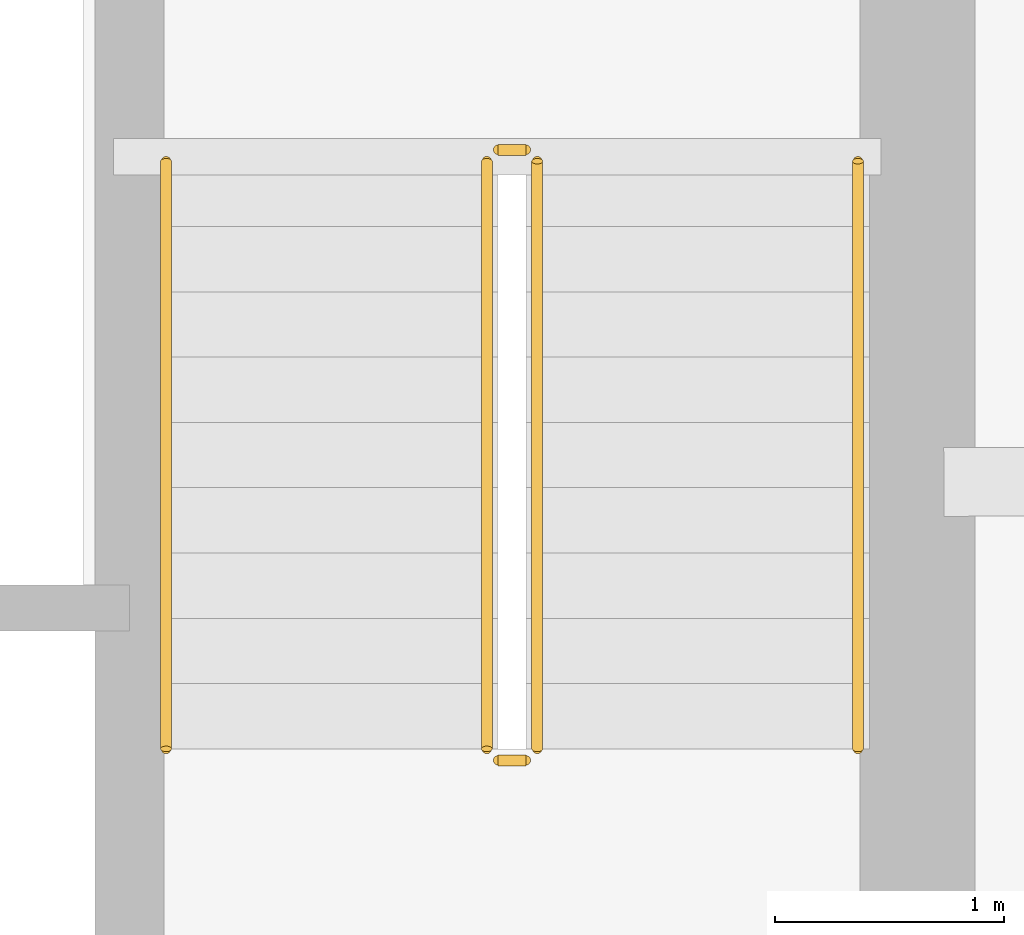
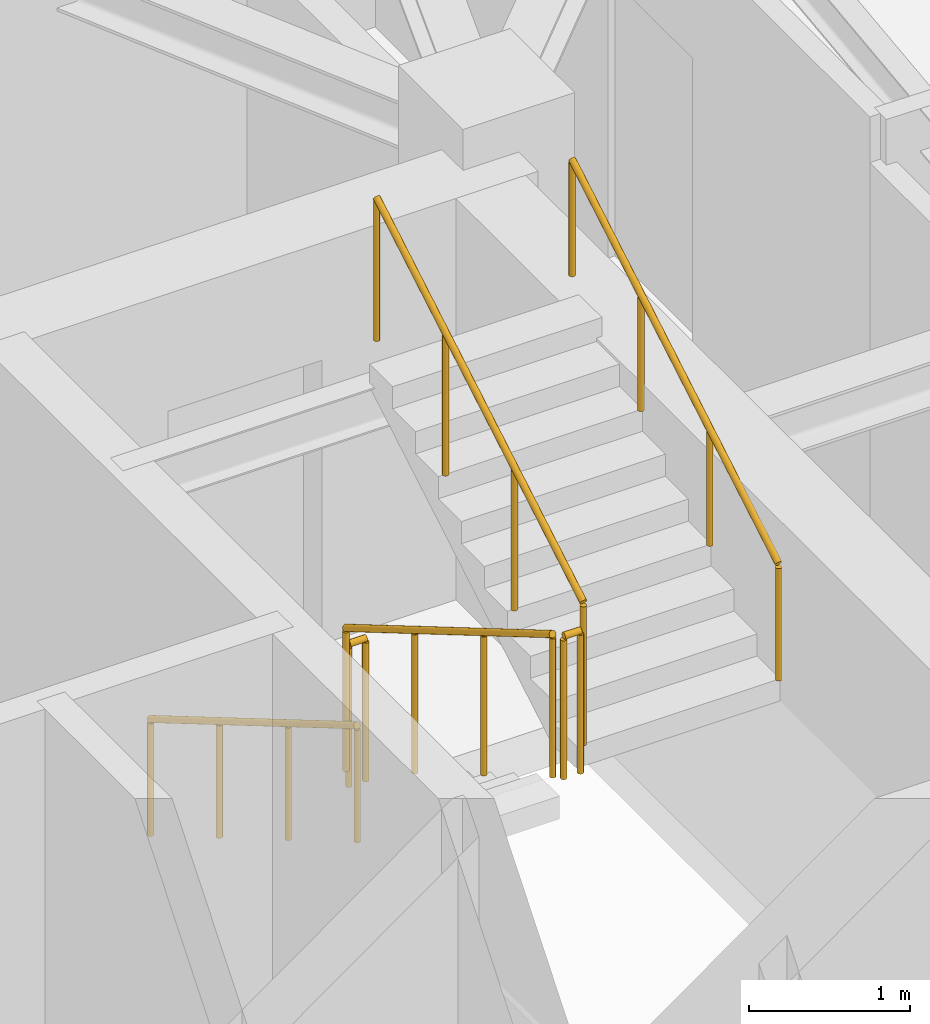
# One storey, part 11 of 11: 6 railings.
"""IFC4 building model written with IfcOpenShell, lengths in metres."""

import ifcopenshell
import ifcopenshell.guid

model = None  # the IFC model being written
_history = None  # IfcOwnerHistory: only IFC2X3 demands one
_inside = {}  # id of a spatial element -> (the spatial element, [elements in it])
_under = {}  # id of a project, library or spatial element -> (it, [spatial elements below it])
_declared = {}  # id of a project -> (the project, [libraries it declares])
_typed = {}  # id of a type object -> (the type object, [elements of that type])
_made_of = {}  # id of a material, layer set ... -> (it, [elements and type objects made of it])


def new_model(schema):
    """Start an empty IFC model of exactly this schema.

    Asked for "IFC4X3", IfcOpenShell would pick the latest addendum, in which some entities
    have other attributes; the version numbers below select the first issue.
    IFC2X3 requires an IfcOwnerHistory on every rooted entity: one is made here for all.
    """
    global model, _history
    if schema == "IFC4X3":
        model = ifcopenshell.file(schema_version=(4, 3, 0, 0))
    else:
        model = ifcopenshell.file(schema=schema)
    _inside.clear()
    _under.clear()
    _declared.clear()
    _typed.clear()
    _made_of.clear()
    _history = None
    if model.schema == "IFC2X3":
        org = make("IfcOrganization", Name="unknown")
        user = make(
            "IfcPersonAndOrganization",
            ThePerson=make("IfcPerson", FamilyName="unknown"),
            TheOrganization=org,
        )
        app = make(
            "IfcApplication",
            ApplicationDeveloper=org,
            Version="unknown",
            ApplicationFullName="unknown",
            ApplicationIdentifier="unknown",
        )
        _history = make(
            "IfcOwnerHistory",
            OwningUser=user,
            OwningApplication=app,
            ChangeAction="ADDED",
            CreationDate=0,
        )
    return model


def make(cls, **values):
    """One entity of the class cls with the attributes given. An attribute that is None is left unset."""
    return model.create_entity(
        cls, **{name: value for name, value in values.items() if value is not None}
    )


def rooted(cls, **values):
    """An entity with a GlobalId (a new one), such as an element, a storey or a relation."""
    return make(cls, GlobalId=ifcopenshell.guid.new(), OwnerHistory=_history, **values)


def si_unit(unit_type, name, prefix=None):
    """IfcSIUnit, for example si_unit("LENGTHUNIT", "METRE", prefix="MILLI")."""
    return make("IfcSIUnit", UnitType=unit_type, Prefix=prefix, Name=name)


def assignment(units):
    """IfcUnitAssignment: the units of a project."""
    return None if units is None else make("IfcUnitAssignment", Units=units)


def point(xyz):
    """IfcCartesianPoint."""
    return None if xyz is None else make("IfcCartesianPoint", Coordinates=xyz)


def direction(xyz):
    """IfcDirection."""
    return None if xyz is None else make("IfcDirection", DirectionRatios=xyz)


def frame(location, z_axis=None, x_axis=None):
    """IfcAxis2Placement3D, a coordinate frame: its origin and axes. An axis left out is left unset."""
    return make(
        "IfcAxis2Placement3D",
        Location=point(location),
        Axis=direction(z_axis),
        RefDirection=direction(x_axis),
    )


def frame_2d(location, x_axis=None):
    """IfcAxis2Placement2D, a coordinate frame in the plane: its origin and x axis."""
    return make(
        "IfcAxis2Placement2D", Location=point(location), RefDirection=direction(x_axis)
    )


def origin():
    """The frame at (0, 0, 0) with its axes left unset."""
    return frame((0.0, 0.0, 0.0))


def origin_2d():
    """The frame at (0, 0) in the plane with its x axis left unset."""
    return frame_2d((0.0, 0.0))


def place(relative_to, where):
    """IfcLocalPlacement: puts the frame where relative to a parent placement (None: the world)."""
    return make(
        "IfcLocalPlacement", PlacementRelTo=relative_to, RelativePlacement=where
    )


def context(
    kind, dimensions, precision=None, world=None, true_north=None, identifier=None
):
    """IfcGeometricRepresentationContext, for example the 3D "Model" context."""
    return make(
        "IfcGeometricRepresentationContext",
        ContextIdentifier=identifier,
        ContextType=kind,
        CoordinateSpaceDimension=dimensions,
        Precision=precision,
        WorldCoordinateSystem=world,
        TrueNorth=true_north,
    )


def subcontext(parent, identifier, kind, view, scale=None):
    """IfcGeometricRepresentationSubContext, for example "Body" below "Model"."""
    return make(
        "IfcGeometricRepresentationSubContext",
        ContextIdentifier=identifier,
        ContextType=kind,
        ParentContext=parent,
        TargetScale=scale,
        TargetView=view,
    )


def project(units=None, contexts=None):
    """IfcProject with its units and contexts."""
    return rooted(
        "IfcProject",
        Name="project",
        RepresentationContexts=contexts,
        UnitsInContext=assignment(units),
    )


def spatial(cls, under=None, at=None, **own):
    """A site, building, storey or space (cls), placed at a placement, below another one or the project."""
    s = rooted(cls, ObjectPlacement=at, **own)
    if under is not None:
        _under.setdefault(under.id(), (under, []))[1].append(s)
    return s


def profile(cls, at=None, kind="AREA", **sizes):
    """A parametric profile (cls). Its sizes go by their IFC names, for example OverallWidth=200.0."""
    return make(cls, ProfileType=kind, Position=at, **sizes)


def circle(**sizes):
    """IfcCircleProfileDef."""
    return profile("IfcCircleProfileDef", **sizes)


def extrude(swept, where, along, depth):
    """IfcExtrudedAreaSolid: the profile swept, set in the frame where, extruded along a direction by depth."""
    return make(
        "IfcExtrudedAreaSolid",
        SweptArea=swept,
        Position=where,
        ExtrudedDirection=direction(along),
        Depth=depth,
    )


def shape(context_of_items, identifier, shape_type, items):
    """IfcShapeRepresentation: the items that make up one representation, for example the "Body"."""
    return make(
        "IfcShapeRepresentation",
        ContextOfItems=context_of_items,
        RepresentationIdentifier=identifier,
        RepresentationType=shape_type,
        Items=items,
    )


def material(Name=None, Category=None):
    """IfcMaterial."""
    return make("IfcMaterial", Name=Name, Category=Category)


def made_of(thing, what):
    """Note that an element or type object is made of a material, layer set ...; save() writes the relation."""
    if what is not None:
        _made_of.setdefault(what.id(), (what, []))[1].append(thing)
    return thing


def type_object(cls, material=None, **own):
    """A type object (cls), such as IfcWallType, which elements share."""
    return made_of(rooted(cls, **own), material)


def element(
    cls,
    number,
    at=None,
    inside=None,
    cuts=None,
    type_object=None,
    material=None,
    context=None,
    identifier="Body",
    shape_type=None,
    held_by="IfcProductDefinitionShape",
    body=None,
    shapes=None,
    **own,
):
    """One element of the class cls, such as IfcWall. Its Tag is "e" and its number.

    at: its placement. inside: the storey or other place that contains it. cuts: it is an
    opening in that element (IfcRelVoidsElement). A single representation is given by context,
    identifier, shape_type and body (its items); several are given by shapes. held_by: the class
    of the entity that holds the representations. save() writes the other relations.
    """
    e = rooted(cls, Tag="e%d" % number, ObjectPlacement=at, **own)
    if body is not None:
        shapes = [shape(context, identifier, shape_type, body)]
    if shapes is not None:
        e.Representation = make(held_by, Representations=shapes)
    if inside is not None:
        _inside.setdefault(inside.id(), (inside, []))[1].append(e)
    if cuts is not None:
        rooted(
            "IfcRelVoidsElement", RelatingBuildingElement=cuts, RelatedOpeningElement=e
        )
    if type_object is not None:
        _typed.setdefault(type_object.id(), (type_object, []))[1].append(e)
    return made_of(e, material)


def aggregate(whole, parts):
    """IfcRelAggregates: a whole, such as a stair, and the parts it consists of."""
    return rooted("IfcRelAggregates", RelatingObject=whole, RelatedObjects=parts)


def save(model, path):
    """Write the relations noted so far, then the file.

    IfcRelAggregates (storeys below a building ...), IfcRelContainedInSpatialStructure (elements
    in a storey), IfcRelDefinesByType, IfcRelAssociatesMaterial and IfcRelDeclares: one each for
    every whole, place, type object, material and project.
    """
    for whole, parts in _under.values():
        aggregate(whole, parts)
    for where, things in _inside.values():
        rooted(
            "IfcRelContainedInSpatialStructure",
            RelatedElements=things,
            RelatingStructure=where,
        )
    for kind, things in _typed.values():
        rooted("IfcRelDefinesByType", RelatedObjects=things, RelatingType=kind)
    for what, things in _made_of.values():
        rooted("IfcRelAssociatesMaterial", RelatedObjects=things, RelatingMaterial=what)
    for by, libraries in _declared.values():
        rooted("IfcRelDeclares", RelatingContext=by, RelatedDefinitions=libraries)
    model.write(path)


model = new_model("IFC4")

# Units and contexts
model_context = context("Model", 3, precision=1e-05, world=origin(), true_north=direction((0.0, 1.0)))
body_context = subcontext(model_context, "Body", "Model", "MODEL_VIEW")
ifc_project = project(units=[si_unit("LENGTHUNIT", "METRE"), si_unit("AREAUNIT", "SQUARE_METRE"), si_unit("VOLUMEUNIT", "CUBIC_METRE"), si_unit("PLANEANGLEUNIT", "RADIAN"), si_unit("MASSUNIT", "GRAM", prefix="KILO")], contexts=[model_context])

# Site, building, storey
site_placement = place(None, origin())
site = spatial("IfcSite", under=ifc_project, at=site_placement, CompositionType="ELEMENT")
building_placement = place(site_placement, origin())
building = spatial("IfcBuilding", under=site, at=building_placement, Name="Qobustan Lattice House", CompositionType="ELEMENT")
storey_placement = place(building_placement, frame((0.0, 0.0, 209.800048828125)))
storey = spatial("IfcBuildingStorey", under=building, at=storey_placement, Name="L59", CompositionType="ELEMENT", Elevation=209.800048828125)

# Railings
ifc_material_1 = material(Name="Brushed stainless steel handrail", Category="steel")
railing_type_1 = type_object("IfcRailingType", Name="RAL-HR-920", PredefinedType="HANDRAIL", material=ifc_material_1)
railing_1_placement = place(storey_placement, frame((15.179931640625, 3.5, 0.16748046875)))
element("IfcRailing", 1, at=railing_1_placement, inside=storey, type_object=railing_type_1, Name="L59 ST-E1 stair handrail 1", PredefinedType="HANDRAIL", context=body_context, shape_type="SweptSolid", body=[
    extrude(circle(Radius=0.02392578125, at=origin_2d()), frame((0.0, 0.0, 0.8759765625), z_axis=(0.0, -0.862113467892, 0.50671527358), x_axis=(1.0, 0.0, 0.0)), (0.0, 0.0, 1.0), 2.97509765625),
    extrude(circle(Radius=0.02099609375, at=origin_2d()), origin(), (0.0, 0.0, 1.0), 0.851806640625),
    extrude(circle(Radius=0.02099609375, at=origin_2d()), frame((0.0, -0.85498046875, 0.50244140625)), (0.0, 0.0, 1.0), 0.851806640625),
    extrude(circle(Radius=0.02099609375, at=origin_2d()), frame((0.0, -1.7099609375, 1.005126953125)), (0.0, 0.0, 1.0), 0.851806640625),
    extrude(circle(Radius=0.02099609375, at=origin_2d()), frame((0.0, -2.56494140625, 1.507568359375)), (0.0, 0.0, 1.0), 0.851806640625),
])
railing_2_placement = place(storey_placement, frame((18.199951171875, 0.93505859375, 1.842529296875)))
element("IfcRailing", 2, at=railing_2_placement, inside=storey, type_object=railing_type_1, Name="L59 ST-E1 stair handrail 2", PredefinedType="HANDRAIL", context=body_context, shape_type="SweptSolid", body=[
    extrude(circle(Radius=0.02392578125, at=origin_2d()), frame((0.0, 0.0, 0.8759765625), z_axis=(0.0, 0.862149314443, 0.506654280161), x_axis=(-1.0, 0.0, 0.0)), (0.0, 0.0, 1.0), 2.97509765625),
    extrude(circle(Radius=0.02099609375, at=origin_2d()), origin(), (0.0, 0.0, 1.0), 0.851806640625),
    extrude(circle(Radius=0.02099609375, at=origin_2d()), frame((0.0, 0.85498046875, 0.50244140625)), (0.0, 0.0, 1.0), 0.851806640625),
    extrude(circle(Radius=0.02099609375, at=origin_2d()), frame((0.0, 1.7099609375, 1.0048828125)), (0.0, 0.0, 1.0), 0.851806640625),
    extrude(circle(Radius=0.02099609375, at=origin_2d()), frame((0.0, 2.56494140625, 1.50732421875)), (0.0, 0.0, 1.0), 0.851806640625),
])
ifc_material_2 = material(Name="Painted galvanized steel guardrail", Category="steel")
railing_type_2 = type_object("IfcRailingType", Name="RAL-STG-1150", PredefinedType="GUARDRAIL", material=ifc_material_2)
railing_3_placement = place(storey_placement, frame((16.580078125, 3.5, 0.16748046875)))
element("IfcRailing", 3, at=railing_3_placement, inside=storey, type_object=railing_type_2, Name="L59 ST-E1 stair guard 1", PredefinedType="GUARDRAIL", context=body_context, shape_type="SweptSolid", body=[
    extrude(circle(Radius=0.02392578125, at=origin_2d()), frame((0.0, 0.0, 1.076171875), z_axis=(0.0, -0.862113467892, 0.50671527358), x_axis=(1.0, 0.0, 0.0)), (0.0, 0.0, 1.0), 2.97509765625),
    extrude(circle(Radius=0.02099609375, at=origin_2d()), origin(), (0.0, 0.0, 1.0), 1.052001953125),
    extrude(circle(Radius=0.02099609375, at=origin_2d()), frame((0.0, -0.85498046875, 0.50244140625)), (0.0, 0.0, 1.0), 1.052001953125),
    extrude(circle(Radius=0.02099609375, at=origin_2d()), frame((0.0, -1.7099609375, 1.005126953125)), (0.0, 0.0, 1.0), 1.052001953125),
    extrude(circle(Radius=0.02099609375, at=origin_2d()), frame((0.0, -2.56494140625, 1.507568359375)), (0.0, 0.0, 1.0), 1.052001953125),
])
railing_4_placement = place(storey_placement, frame((16.6298828125, 0.885009765625, 1.675048828125)))
element("IfcRailing", 4, at=railing_4_placement, inside=storey, type_object=railing_type_2, Name="L59 ST-E1 stair guard 2", PredefinedType="GUARDRAIL", context=body_context, shape_type="SweptSolid", body=[
    extrude(circle(Radius=0.02392578125, at=origin_2d()), frame((0.0, 0.0, 1.076171875), z_axis=(1.0, 0.0, 0.0), x_axis=(0.0, 1.0, 0.0)), (0.0, 0.0, 1.0), 0.1201171875),
    extrude(circle(Radius=0.02099609375, at=origin_2d()), origin(), (0.0, 0.0, 1.0), 1.052001953125),
    extrude(circle(Radius=0.02099609375, at=origin_2d()), frame((0.1201171875, 0.0, 0.0)), (0.0, 0.0, 1.0), 1.052001953125),
])
railing_5_placement = place(storey_placement, frame((16.800048828125, 0.93505859375, 1.842529296875)))
element("IfcRailing", 5, at=railing_5_placement, inside=storey, type_object=railing_type_2, Name="L59 ST-E1 stair guard 3", PredefinedType="GUARDRAIL", context=body_context, shape_type="SweptSolid", body=[
    extrude(circle(Radius=0.02392578125, at=origin_2d()), frame((0.0, 0.0, 1.076171875), z_axis=(0.0, 0.862149314443, 0.506654280161), x_axis=(-1.0, 0.0, 0.0)), (0.0, 0.0, 1.0), 2.97509765625),
    extrude(circle(Radius=0.02099609375, at=origin_2d()), origin(), (0.0, 0.0, 1.0), 1.052001953125),
    extrude(circle(Radius=0.02099609375, at=origin_2d()), frame((0.0, 0.85498046875, 0.50244140625)), (0.0, 0.0, 1.0), 1.052001953125),
    extrude(circle(Radius=0.02099609375, at=origin_2d()), frame((0.0, 1.7099609375, 1.0048828125)), (0.0, 0.0, 1.0), 1.052001953125),
    extrude(circle(Radius=0.02099609375, at=origin_2d()), frame((0.0, 2.56494140625, 1.50732421875)), (0.0, 0.0, 1.0), 1.052001953125),
])
railing_6_placement = place(storey_placement, frame((16.6298828125, 3.550048828125, 0.0)))
element("IfcRailing", 6, at=railing_6_placement, inside=storey, type_object=railing_type_2, Name="L59 ST-E1 stair guard 4", PredefinedType="GUARDRAIL", context=body_context, shape_type="SweptSolid", body=[
    extrude(circle(Radius=0.02392578125, at=origin_2d()), frame((0.0, 0.0, 1.076171875), z_axis=(1.0, 0.0, 0.0), x_axis=(0.0, 1.0, 0.0)), (0.0, 0.0, 1.0), 0.1201171875),
    extrude(circle(Radius=0.02099609375, at=origin_2d()), origin(), (0.0, 0.0, 1.0), 1.052001953125),
    extrude(circle(Radius=0.02099609375, at=origin_2d()), frame((0.1201171875, 0.0, 0.0)), (0.0, 0.0, 1.0), 1.052001953125),
])

save(model, "model.ifc")
